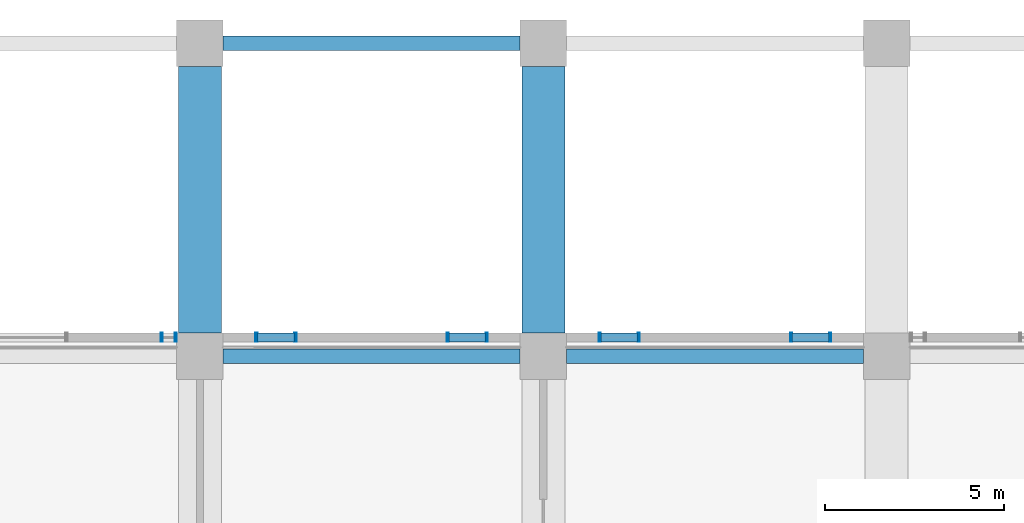
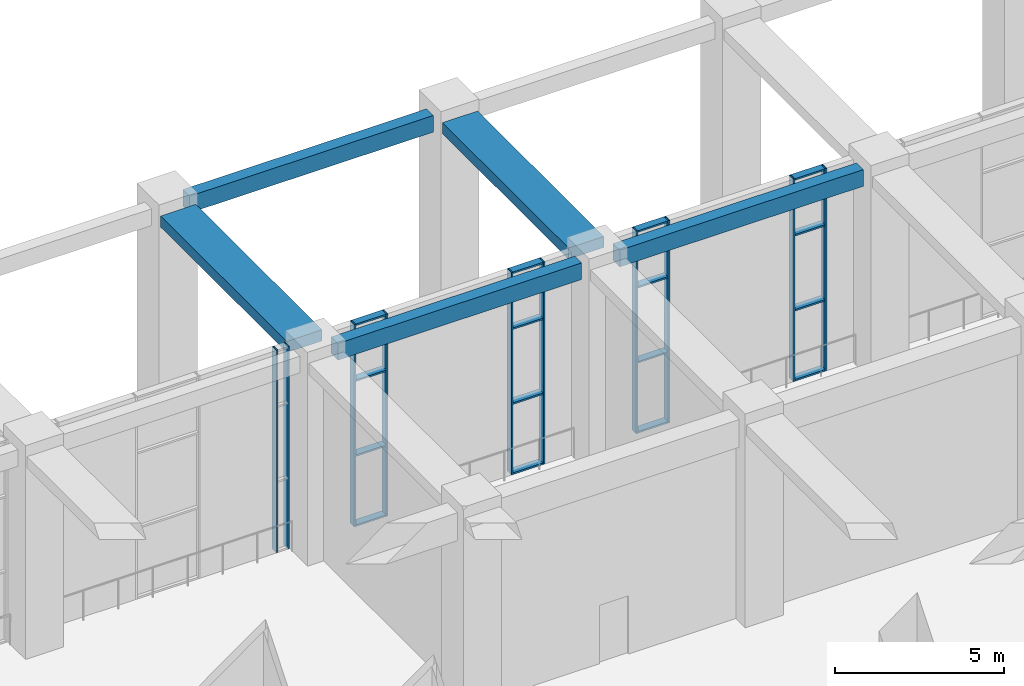
# One storey, part 4 of 33: 26 members, 5 beams, 5 elements without a shape of their own.
"""IFC4 building model written with IfcOpenShell, lengths in metres."""

from ifc_helpers import new_model, si_unit, direction, frame, origin, origin_2d, place, context, subcontext, project, spatial, rectangle, hollow_rectangle, extrude, material, layer, layer_set, material_profile, profile_set, type_object, element, aggregate, save


model = new_model("IFC4")

# Units and contexts
model_context = context("Model", 3, precision=1e-05, world=origin(), true_north=direction((0.0, 1.0)))
body_context = subcontext(model_context, "Body", "Model", "MODEL_VIEW")
ifc_project = project(units=[si_unit("LENGTHUNIT", "METRE"), si_unit("AREAUNIT", "SQUARE_METRE"), si_unit("VOLUMEUNIT", "CUBIC_METRE"), si_unit("PLANEANGLEUNIT", "RADIAN"), si_unit("MASSUNIT", "GRAM", prefix="KILO")], contexts=[model_context])

# Site, building, storey
site_placement = place(None, origin())
site = spatial("IfcSite", under=ifc_project, at=site_placement, CompositionType="ELEMENT")
building_placement = place(site_placement, origin())
building = spatial("IfcBuilding", under=site, at=building_placement, Name="Nzadi Deep Aquarium and Research Tower", CompositionType="ELEMENT")
storey_placement = place(building_placement, frame((0.0, 0.0, 6.5)))
storey = spatial("IfcBuildingStorey", under=building, at=storey_placement, Name="L01", CompositionType="ELEMENT", Elevation=6.5)

# Curtain wall, members
ifc_material_1 = material(Name="Aluminium stick frame", Category="aluminium")
ifc_layer = layer(ifc_material_1, 0.25)
ifc_layer_set = layer_set([ifc_layer], Name="Aluminium stick frame")
curtain_wall_type = type_object("IfcCurtainWallType", Name="Curtain wall Stick 250", PredefinedType="NOTDEFINED", material=ifc_layer_set)
curtain_wall_1_placement = place(storey_placement, origin())
curtain_wall_1 = element("IfcCurtainWall", 1, at=curtain_wall_1_placement, inside=storey, type_object=curtain_wall_type, Name="Lobby stick glazing L01", PredefinedType="NOTDEFINED")
ifc_material_2 = material(Name="Aluminium stick frame", Category="aluminium")
ifc_material_profile_1 = material_profile(ifc_material_2, hollow_rectangle(XDim=0.25, YDim=0.06005859375, WallThickness=0.0048828125, at=origin_2d()))
ifc_profile_set_1 = profile_set([ifc_material_profile_1], Name="Aluminium stick frame")
member_type_1 = type_object("IfcMemberType", Name="Mullion 60x250 Stick", PredefinedType="MULLION", material=ifc_profile_set_1)
member_1_placement = place(storey_placement, frame((18.1298828125, 132.125, 0.0), z_axis=(0.0, 0.0, 1.0), x_axis=(0.0, 1.0, 0.0)))
member_1 = element("IfcMember", 2, at=member_1_placement, type_object=member_type_1, Name="CW232 mullion 1", PredefinedType="MULLION", context=body_context, shape_type="SweptSolid", body=[
    extrude(hollow_rectangle(XDim=0.25, YDim=0.06005859375, WallThickness=0.0048828125, at=origin_2d()), origin(), (0.0, 0.0, 1.0), 7.2900390625),
])
member_2_placement = place(storey_placement, frame((18.52001953125, 132.125, 0.0), z_axis=(0.0, 0.0, 1.0), x_axis=(0.0, 1.0, 0.0)))
member_2 = element("IfcMember", 3, at=member_2_placement, type_object=member_type_1, Name="CW232 mullion 2", PredefinedType="MULLION", context=body_context, shape_type="SweptSolid", body=[
    extrude(hollow_rectangle(XDim=0.25, YDim=0.06005859375, WallThickness=0.0048828125, at=origin_2d()), origin(), (0.0, 0.0, 1.0), 7.2900390625),
])
aggregate(curtain_wall_1, [member_1, member_2])

curtain_wall_2_placement = place(storey_placement, origin())
curtain_wall_2 = element("IfcCurtainWall", 4, at=curtain_wall_2_placement, inside=storey, type_object=curtain_wall_type, Name="Lobby stick glazing L01", PredefinedType="NOTDEFINED")
member_3_placement = place(storey_placement, frame((20.780029296875, 132.125, 0.0), z_axis=(0.0, 0.0, 1.0), x_axis=(0.0, 1.0, 0.0)))
member_3 = element("IfcMember", 5, at=member_3_placement, type_object=member_type_1, Name="CW235 mullion 1", PredefinedType="MULLION", context=body_context, shape_type="SweptSolid", body=[
    extrude(hollow_rectangle(XDim=0.25, YDim=0.06005859375, WallThickness=0.0048828125, at=origin_2d()), origin(), (0.0, 0.0, 1.0), 7.2900390625),
])
member_4_placement = place(storey_placement, frame((21.8701171875, 132.125, 0.0), z_axis=(0.0, 0.0, 1.0), x_axis=(0.0, 1.0, 0.0)))
member_4 = element("IfcMember", 6, at=member_4_placement, type_object=member_type_1, Name="CW235 mullion 2", PredefinedType="MULLION", context=body_context, shape_type="SweptSolid", body=[
    extrude(hollow_rectangle(XDim=0.25, YDim=0.06005859375, WallThickness=0.0048828125, at=origin_2d()), origin(), (0.0, 0.0, 1.0), 7.2900390625),
])

curtain_wall_3_placement = place(storey_placement, origin())
curtain_wall_3 = element("IfcCurtainWall", 7, at=curtain_wall_3_placement, inside=storey, type_object=curtain_wall_type, Name="Lobby stick glazing L01", PredefinedType="NOTDEFINED")
member_5_placement = place(storey_placement, frame((26.1298828125, 132.125, 0.0), z_axis=(0.0, 0.0, 1.0), x_axis=(0.0, 1.0, 0.0)))
member_5 = element("IfcMember", 8, at=member_5_placement, type_object=member_type_1, Name="CW236 mullion 1", PredefinedType="MULLION", context=body_context, shape_type="SweptSolid", body=[
    extrude(hollow_rectangle(XDim=0.25, YDim=0.06005859375, WallThickness=0.0048828125, at=origin_2d()), origin(), (0.0, 0.0, 1.0), 7.2900390625),
])
member_6_placement = place(storey_placement, frame((27.219970703125, 132.125, 0.0), z_axis=(0.0, 0.0, 1.0), x_axis=(0.0, 1.0, 0.0)))
member_6 = element("IfcMember", 9, at=member_6_placement, type_object=member_type_1, Name="CW236 mullion 2", PredefinedType="MULLION", context=body_context, shape_type="SweptSolid", body=[
    extrude(hollow_rectangle(XDim=0.25, YDim=0.06005859375, WallThickness=0.0048828125, at=origin_2d()), origin(), (0.0, 0.0, 1.0), 7.2900390625),
])

curtain_wall_4_placement = place(storey_placement, origin())
curtain_wall_4 = element("IfcCurtainWall", 10, at=curtain_wall_4_placement, inside=storey, type_object=curtain_wall_type, Name="Lobby stick glazing L01", PredefinedType="NOTDEFINED")
member_7_placement = place(storey_placement, frame((30.3798828125, 132.125, 0.0), z_axis=(0.0, 0.0, 1.0), x_axis=(0.0, 1.0, 0.0)))
member_7 = element("IfcMember", 11, at=member_7_placement, type_object=member_type_1, Name="CW239 mullion 1", PredefinedType="MULLION", context=body_context, shape_type="SweptSolid", body=[
    extrude(hollow_rectangle(XDim=0.25, YDim=0.06005859375, WallThickness=0.0048828125, at=origin_2d()), origin(), (0.0, 0.0, 1.0), 7.2900390625),
])
member_8_placement = place(storey_placement, frame((31.469970703125, 132.125, 0.0), z_axis=(0.0, 0.0, 1.0), x_axis=(0.0, 1.0, 0.0)))
member_8 = element("IfcMember", 12, at=member_8_placement, type_object=member_type_1, Name="CW239 mullion 2", PredefinedType="MULLION", context=body_context, shape_type="SweptSolid", body=[
    extrude(hollow_rectangle(XDim=0.25, YDim=0.06005859375, WallThickness=0.0048828125, at=origin_2d()), origin(), (0.0, 0.0, 1.0), 7.2900390625),
])

curtain_wall_5_placement = place(storey_placement, origin())
curtain_wall_5 = element("IfcCurtainWall", 13, at=curtain_wall_5_placement, inside=storey, type_object=curtain_wall_type, Name="Lobby stick glazing L01", PredefinedType="NOTDEFINED")
member_9_placement = place(storey_placement, frame((35.72998046875, 132.125, 0.0), z_axis=(0.0, 0.0, 1.0), x_axis=(0.0, 1.0, 0.0)))
member_9 = element("IfcMember", 14, at=member_9_placement, type_object=member_type_1, Name="CW240 mullion 1", PredefinedType="MULLION", context=body_context, shape_type="SweptSolid", body=[
    extrude(hollow_rectangle(XDim=0.25, YDim=0.06005859375, WallThickness=0.0048828125, at=origin_2d()), origin(), (0.0, 0.0, 1.0), 7.2900390625),
])
member_10_placement = place(storey_placement, frame((36.820068359375, 132.125, 0.0), z_axis=(0.0, 0.0, 1.0), x_axis=(0.0, 1.0, 0.0)))
member_10 = element("IfcMember", 15, at=member_10_placement, type_object=member_type_1, Name="CW240 mullion 2", PredefinedType="MULLION", context=body_context, shape_type="SweptSolid", body=[
    extrude(hollow_rectangle(XDim=0.25, YDim=0.06005859375, WallThickness=0.0048828125, at=origin_2d()), origin(), (0.0, 0.0, 1.0), 7.2900390625),
])

# Beams
ifc_material_3 = material(Name="Concrete C35/45", Category="concrete")
ifc_material_profile_2 = material_profile(ifc_material_3, rectangle(XDim=1.199951171875, YDim=0.39990234375, at=origin_2d()))
ifc_profile_set_2 = profile_set([ifc_material_profile_2], Name="Concrete C35/45")
beam_type_1 = type_object("IfcBeamType", Name="RC 1200x400", PredefinedType="BEAM", material=ifc_profile_set_2)
for number, where, z_axis, x_axis, name in (
    (16, (19.199951171875, 132.25, 7.090087890625), (0.0, 1.0, 0.0), (-1.0, 0.0, 0.0), "B-Z3-L01-CC-5-13"),
    (17, (28.800048828125, 132.25, 7.090087890625), (0.0, 1.0, 0.0), (-1.0, 0.0, 0.0), "B-Z3-L01-CD-5-13"),
):
    element("IfcBeam", number, at=place(storey_placement, frame(where, z_axis=z_axis, x_axis=x_axis)), inside=storey, type_object=beam_type_1, Name=name, PredefinedType="BEAM", context=body_context, shape_type="SweptSolid", body=[
        extrude(rectangle(XDim=1.199951171875, YDim=0.39990234375, at=origin_2d()), origin(), (0.0, 0.0, 1.0), 7.449951171875),
    ])
ifc_material_4 = material(Name="Concrete C35/45", Category="concrete")
ifc_material_profile_3 = material_profile(ifc_material_4, rectangle(XDim=0.39990234375, YDim=0.60009765625, at=origin_2d()))
ifc_profile_set_3 = profile_set([ifc_material_profile_3], Name="Concrete C35/45")
beam_type_2 = type_object("IfcBeamType", Name="RC 400x600", PredefinedType="BEAM", material=ifc_profile_set_3)
beam_1_placement = place(storey_placement, frame((19.85009765625, 131.60009765625, 6.989990234375), z_axis=(1.0, 0.0, 0.0), x_axis=(0.0, 1.0, 0.0)))
element("IfcBeam", 18, at=beam_1_placement, inside=storey, type_object=beam_type_2, Name="B-Z3-L01-L17-3", PredefinedType="BEAM", context=body_context, shape_type="SweptSolid", body=[
    extrude(rectangle(XDim=0.39990234375, YDim=0.60009765625, at=origin_2d()), origin(), (0.0, 0.0, 1.0), 8.2998046875),
])
beam_2_placement = place(storey_placement, frame((29.449951171875, 131.60009765625, 6.989990234375), z_axis=(1.0, 0.0, 0.0), x_axis=(0.0, 1.0, 0.0)))
element("IfcBeam", 19, at=beam_2_placement, inside=storey, type_object=beam_type_2, Name="B-Z3-L01-L17-4", PredefinedType="BEAM", context=body_context, shape_type="SweptSolid", body=[
    extrude(rectangle(XDim=0.39990234375, YDim=0.60009765625, at=origin_2d()), origin(), (0.0, 0.0, 1.0), 8.300048828125),
])
beam_3_placement = place(storey_placement, frame((19.85009765625, 140.35009765625, 6.989990234375), z_axis=(1.0, 0.0, 0.0), x_axis=(0.0, 1.0, 0.0)))
element("IfcBeam", 20, at=beam_3_placement, inside=storey, type_object=beam_type_2, Name="B-Z3-L01-L18-3", PredefinedType="BEAM", context=body_context, shape_type="SweptSolid", body=[
    extrude(rectangle(XDim=0.39990234375, YDim=0.60009765625, at=origin_2d()), origin(), (0.0, 0.0, 1.0), 8.2998046875),
])

# Member
ifc_material_5 = material(Name="Aluminium stick frame", Category="aluminium")
ifc_material_profile_4 = material_profile(ifc_material_5, hollow_rectangle(XDim=0.25, YDim=0.06005859375, WallThickness=0.0048828125, at=origin_2d()))
ifc_profile_set_4 = profile_set([ifc_material_profile_4], Name="Aluminium stick frame")
member_type_2 = type_object("IfcMemberType", Name="Transom 60x250 Stick", PredefinedType="MULLION", material=ifc_profile_set_4)
member_11_placement = place(storey_placement, frame((20.81005859375, 132.125, 0.030029296875), z_axis=(1.0, 0.0, 0.0), x_axis=(0.0, 1.0, 0.0)))
member_11 = element("IfcMember", 21, at=member_11_placement, type_object=member_type_2, Name="CW235 transom 1.1", PredefinedType="MULLION", context=body_context, shape_type="SweptSolid", body=[
    extrude(hollow_rectangle(XDim=0.25, YDim=0.06005859375, WallThickness=0.0048828125, at=origin_2d()), origin(), (0.0, 0.0, 1.0), 1.030029296875),
])

member_12_placement = place(storey_placement, frame((20.81005859375, 132.125, 2.550048828125), z_axis=(1.0, 0.0, 0.0), x_axis=(0.0, 1.0, 0.0)))
member_12 = element("IfcMember", 22, at=member_12_placement, type_object=member_type_2, Name="CW235 transom 1.2", PredefinedType="MULLION", context=body_context, shape_type="SweptSolid", body=[
    extrude(hollow_rectangle(XDim=0.25, YDim=0.06005859375, WallThickness=0.0048828125, at=origin_2d()), origin(), (0.0, 0.0, 1.0), 1.030029296875),
])

member_13_placement = place(storey_placement, frame((20.81005859375, 132.125, 5.2490234375), z_axis=(1.0, 0.0, 0.0), x_axis=(0.0, 1.0, 0.0)))
member_13 = element("IfcMember", 23, at=member_13_placement, type_object=member_type_2, Name="CW235 transom 1.3", PredefinedType="MULLION", context=body_context, shape_type="SweptSolid", body=[
    extrude(hollow_rectangle(XDim=0.25, YDim=0.06005859375, WallThickness=0.0048828125, at=origin_2d()), origin(), (0.0, 0.0, 1.0), 1.030029296875),
])

member_14_placement = place(storey_placement, frame((20.81005859375, 132.125, 7.260009765625), z_axis=(1.0, 0.0, 0.0), x_axis=(0.0, 1.0, 0.0)))
member_14 = element("IfcMember", 24, at=member_14_placement, type_object=member_type_2, Name="CW235 transom 1.4", PredefinedType="MULLION", context=body_context, shape_type="SweptSolid", body=[
    extrude(hollow_rectangle(XDim=0.25, YDim=0.06005859375, WallThickness=0.0048828125, at=origin_2d()), origin(), (0.0, 0.0, 1.0), 1.030029296875),
])

aggregate(curtain_wall_2, [member_3, member_4, member_11, member_12, member_13, member_14])

member_15_placement = place(storey_placement, frame((26.159912109375, 132.125, 0.030029296875), z_axis=(1.0, 0.0, 0.0), x_axis=(0.0, 1.0, 0.0)))
member_15 = element("IfcMember", 25, at=member_15_placement, type_object=member_type_2, Name="CW236 transom 1.1", PredefinedType="MULLION", context=body_context, shape_type="SweptSolid", body=[
    extrude(hollow_rectangle(XDim=0.25, YDim=0.06005859375, WallThickness=0.0048828125, at=origin_2d()), origin(), (0.0, 0.0, 1.0), 1.030029296875),
])

member_16_placement = place(storey_placement, frame((26.159912109375, 132.125, 2.550048828125), z_axis=(1.0, 0.0, 0.0), x_axis=(0.0, 1.0, 0.0)))
member_16 = element("IfcMember", 26, at=member_16_placement, type_object=member_type_2, Name="CW236 transom 1.2", PredefinedType="MULLION", context=body_context, shape_type="SweptSolid", body=[
    extrude(hollow_rectangle(XDim=0.25, YDim=0.06005859375, WallThickness=0.0048828125, at=origin_2d()), origin(), (0.0, 0.0, 1.0), 1.030029296875),
])

member_17_placement = place(storey_placement, frame((26.159912109375, 132.125, 5.2490234375), z_axis=(1.0, 0.0, 0.0), x_axis=(0.0, 1.0, 0.0)))
member_17 = element("IfcMember", 27, at=member_17_placement, type_object=member_type_2, Name="CW236 transom 1.3", PredefinedType="MULLION", context=body_context, shape_type="SweptSolid", body=[
    extrude(hollow_rectangle(XDim=0.25, YDim=0.06005859375, WallThickness=0.0048828125, at=origin_2d()), origin(), (0.0, 0.0, 1.0), 1.030029296875),
])

member_18_placement = place(storey_placement, frame((26.159912109375, 132.125, 7.260009765625), z_axis=(1.0, 0.0, 0.0), x_axis=(0.0, 1.0, 0.0)))
member_18 = element("IfcMember", 28, at=member_18_placement, type_object=member_type_2, Name="CW236 transom 1.4", PredefinedType="MULLION", context=body_context, shape_type="SweptSolid", body=[
    extrude(hollow_rectangle(XDim=0.25, YDim=0.06005859375, WallThickness=0.0048828125, at=origin_2d()), origin(), (0.0, 0.0, 1.0), 1.030029296875),
])

aggregate(curtain_wall_3, [member_5, member_6, member_15, member_16, member_17, member_18])

member_19_placement = place(storey_placement, frame((30.409912109375, 132.125, 0.030029296875), z_axis=(1.0, 0.0, 0.0), x_axis=(0.0, 1.0, 0.0)))
member_19 = element("IfcMember", 29, at=member_19_placement, type_object=member_type_2, Name="CW239 transom 1.1", PredefinedType="MULLION", context=body_context, shape_type="SweptSolid", body=[
    extrude(hollow_rectangle(XDim=0.25, YDim=0.06005859375, WallThickness=0.0048828125, at=origin_2d()), origin(), (0.0, 0.0, 1.0), 1.030029296875),
])

member_20_placement = place(storey_placement, frame((30.409912109375, 132.125, 2.550048828125), z_axis=(1.0, 0.0, 0.0), x_axis=(0.0, 1.0, 0.0)))
member_20 = element("IfcMember", 30, at=member_20_placement, type_object=member_type_2, Name="CW239 transom 1.2", PredefinedType="MULLION", context=body_context, shape_type="SweptSolid", body=[
    extrude(hollow_rectangle(XDim=0.25, YDim=0.06005859375, WallThickness=0.0048828125, at=origin_2d()), origin(), (0.0, 0.0, 1.0), 1.030029296875),
])

member_21_placement = place(storey_placement, frame((30.409912109375, 132.125, 5.2490234375), z_axis=(1.0, 0.0, 0.0), x_axis=(0.0, 1.0, 0.0)))
member_21 = element("IfcMember", 31, at=member_21_placement, type_object=member_type_2, Name="CW239 transom 1.3", PredefinedType="MULLION", context=body_context, shape_type="SweptSolid", body=[
    extrude(hollow_rectangle(XDim=0.25, YDim=0.06005859375, WallThickness=0.0048828125, at=origin_2d()), origin(), (0.0, 0.0, 1.0), 1.030029296875),
])

member_22_placement = place(storey_placement, frame((30.409912109375, 132.125, 7.260009765625), z_axis=(1.0, 0.0, 0.0), x_axis=(0.0, 1.0, 0.0)))
member_22 = element("IfcMember", 32, at=member_22_placement, type_object=member_type_2, Name="CW239 transom 1.4", PredefinedType="MULLION", context=body_context, shape_type="SweptSolid", body=[
    extrude(hollow_rectangle(XDim=0.25, YDim=0.06005859375, WallThickness=0.0048828125, at=origin_2d()), origin(), (0.0, 0.0, 1.0), 1.030029296875),
])

aggregate(curtain_wall_4, [member_7, member_8, member_19, member_20, member_21, member_22])

member_23_placement = place(storey_placement, frame((35.760009765625, 132.125, 0.030029296875), z_axis=(1.0, 0.0, 0.0), x_axis=(0.0, 1.0, 0.0)))
member_23 = element("IfcMember", 33, at=member_23_placement, type_object=member_type_2, Name="CW240 transom 1.1", PredefinedType="MULLION", context=body_context, shape_type="SweptSolid", body=[
    extrude(hollow_rectangle(XDim=0.25, YDim=0.06005859375, WallThickness=0.0048828125, at=origin_2d()), origin(), (0.0, 0.0, 1.0), 1.030029296875),
])

member_24_placement = place(storey_placement, frame((35.760009765625, 132.125, 2.550048828125), z_axis=(1.0, 0.0, 0.0), x_axis=(0.0, 1.0, 0.0)))
member_24 = element("IfcMember", 34, at=member_24_placement, type_object=member_type_2, Name="CW240 transom 1.2", PredefinedType="MULLION", context=body_context, shape_type="SweptSolid", body=[
    extrude(hollow_rectangle(XDim=0.25, YDim=0.06005859375, WallThickness=0.0048828125, at=origin_2d()), origin(), (0.0, 0.0, 1.0), 1.030029296875),
])

member_25_placement = place(storey_placement, frame((35.760009765625, 132.125, 5.2490234375), z_axis=(1.0, 0.0, 0.0), x_axis=(0.0, 1.0, 0.0)))
member_25 = element("IfcMember", 35, at=member_25_placement, type_object=member_type_2, Name="CW240 transom 1.3", PredefinedType="MULLION", context=body_context, shape_type="SweptSolid", body=[
    extrude(hollow_rectangle(XDim=0.25, YDim=0.06005859375, WallThickness=0.0048828125, at=origin_2d()), origin(), (0.0, 0.0, 1.0), 1.030029296875),
])

member_26_placement = place(storey_placement, frame((35.760009765625, 132.125, 7.260009765625), z_axis=(1.0, 0.0, 0.0), x_axis=(0.0, 1.0, 0.0)))
member_26 = element("IfcMember", 36, at=member_26_placement, type_object=member_type_2, Name="CW240 transom 1.4", PredefinedType="MULLION", context=body_context, shape_type="SweptSolid", body=[
    extrude(hollow_rectangle(XDim=0.25, YDim=0.06005859375, WallThickness=0.0048828125, at=origin_2d()), origin(), (0.0, 0.0, 1.0), 1.030029296875),
])

aggregate(curtain_wall_5, [member_9, member_10, member_23, member_24, member_25, member_26])

save(model, "model.ifc")
